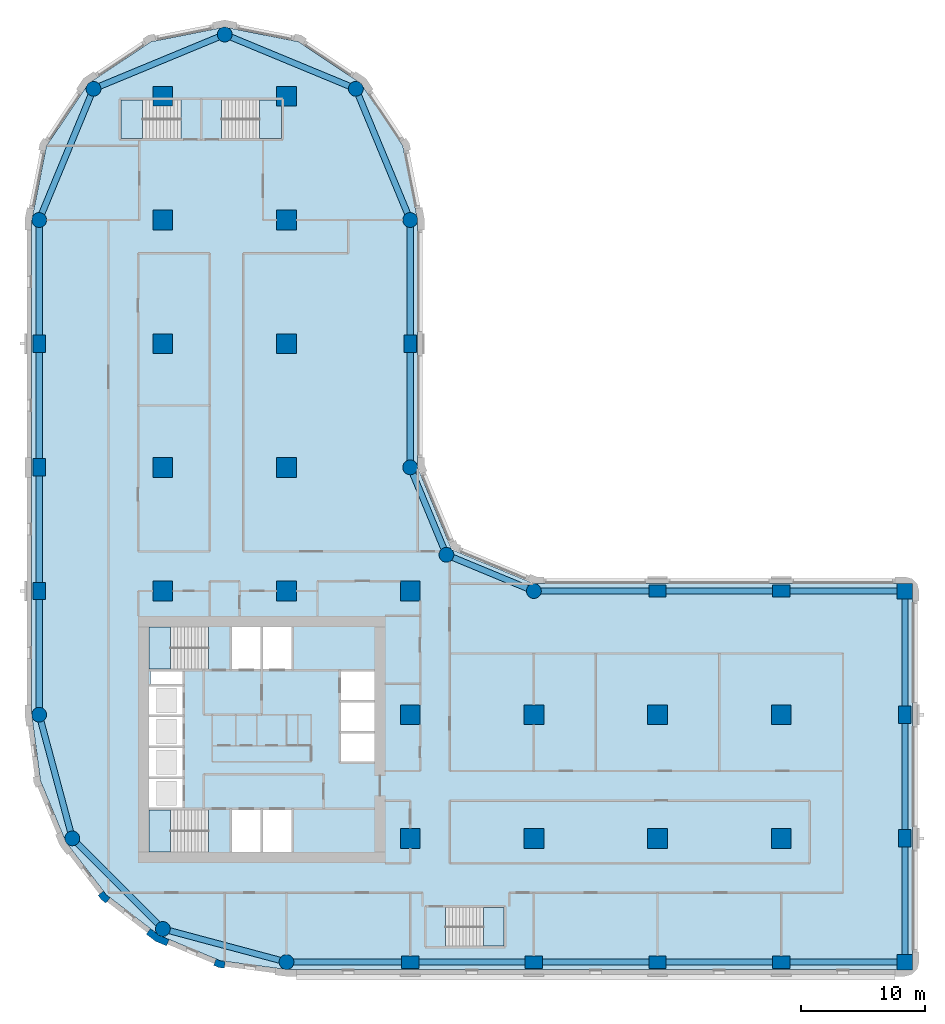
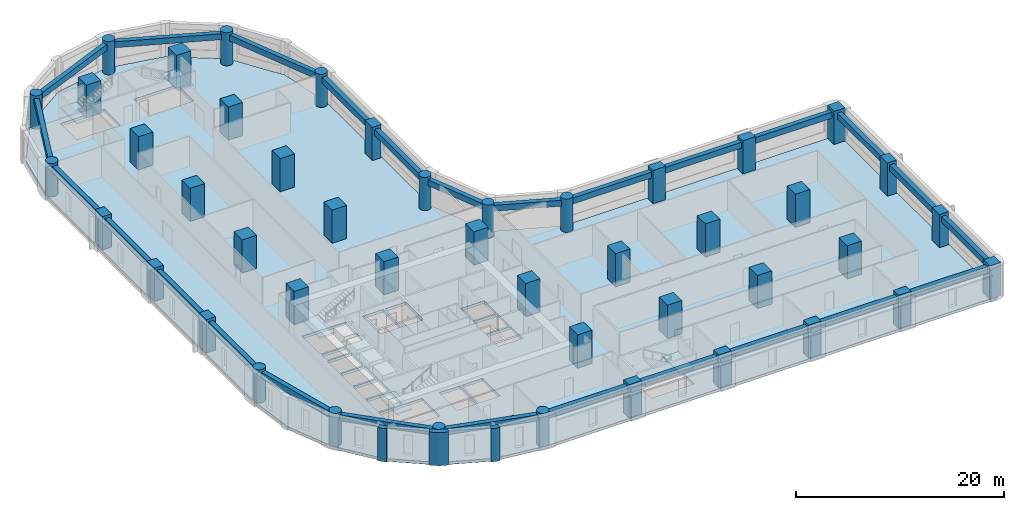
# One storey, part 1 of 11: 45 columns, 26 beams, 6 slabs, 3 walls, 5 elements without a shape of their own.
"""IFC4 building model written with IfcOpenShell, lengths in metres."""

from ifc_helpers import new_model, si_unit, direction, frame, origin, origin_2d, place, context, subcontext, project, spatial, polyline, rectangle, circle, outline, extrude, material, layer, layer_set, material_profile, profile_set, type_object, element, aggregate, save


model = new_model("IFC4")

# Units and contexts
model_context = context("Model", 3, precision=1e-05, world=origin(), true_north=direction((0.0, 1.0)))
body_context = subcontext(model_context, "Body", "Model", "MODEL_VIEW")
ifc_project = project(units=[si_unit("LENGTHUNIT", "METRE"), si_unit("AREAUNIT", "SQUARE_METRE"), si_unit("VOLUMEUNIT", "CUBIC_METRE"), si_unit("PLANEANGLEUNIT", "RADIAN"), si_unit("MASSUNIT", "GRAM", prefix="KILO")], contexts=[model_context])

# Site, building, storey
site_placement = place(None, origin())
site = spatial("IfcSite", under=ifc_project, at=site_placement, CompositionType="ELEMENT")
building_placement = place(site_placement, origin())
building = spatial("IfcBuilding", under=site, at=building_placement, Name="Qaws Garden Tower", CompositionType="ELEMENT")
storey_placement = place(building_placement, frame((0.0, 0.0, 90.0)))
storey = spatial("IfcBuildingStorey", under=building, at=storey_placement, Name="L22", CompositionType="ELEMENT", Elevation=90.0)

# Columns
ifc_material_1 = material(Name="Concrete C80", Category="concrete")
ifc_material_profile_1 = material_profile(ifc_material_1, rectangle(XDim=1.25, YDim=1.25, at=origin_2d()), Name="RC 1250x1250")
ifc_profile_set_1 = profile_set([ifc_material_profile_1], Name="Concrete C80")
column_type_1 = type_object("IfcColumnType", Name="Column RC 1250x1250 C80", PredefinedType="COLUMN", material=ifc_profile_set_1)
for number, where, z_axis, x_axis, name in (
    (1, (70.0, 0.0, 0.0), (0.0, 0.0, 1.0), (1.0, 0.0, 0.0), "Column L22-006"),
    (2, (70.0, 30.0, 0.0), (0.0, 0.0, 1.0), (1.0, 0.0, 0.0), "Column L22-009"),
):
    element("IfcColumn", number, at=place(storey_placement, frame(where, z_axis=z_axis, x_axis=x_axis)), inside=storey, type_object=column_type_1, Name=name, PredefinedType="COLUMN", context=body_context, shape_type="SweptSolid", body=[
        extrude(rectangle(XDim=1.25, YDim=1.25, at=origin_2d()), origin(), (0.0, 0.0, 1.0), 3.89990234375),
    ])
ifc_material_2 = material(Name="Concrete C80", Category="concrete")
ifc_material_profile_2 = material_profile(ifc_material_2, rectangle(XDim=1.39990234375, YDim=1.0, at=origin_2d()), Name="RC 1400x1000")
ifc_profile_set_2 = profile_set([ifc_material_profile_2], Name="Concrete C80")
column_type_2 = type_object("IfcColumnType", Name="Column RC 1400x1000 C80", PredefinedType="COLUMN", material=ifc_profile_set_2)
for number, where, z_axis, x_axis, name in (
    (3, (30.0, 0.0, 0.0), (0.0, 0.0, 1.0), (1.0, 0.0, 0.0), "Column L22-002"),
    (4, (40.0, 0.0, 0.0), (0.0, 0.0, 1.0), (1.0, 0.0, 0.0), "Column L22-003"),
    (5, (50.0, 0.0, 0.0), (0.0, 0.0, 1.0), (1.0, 0.0, 0.0), "Column L22-004"),
    (6, (60.0, 0.0, 0.0), (0.0, 0.0, 1.0), (1.0, 0.0, 0.0), "Column L22-005"),
    (7, (70.0, 10.0, 0.0), (0.0, 0.0, 1.0), (0.0, 1.0, 0.0), "Column L22-007"),
    (8, (70.0, 20.0, 0.0), (0.0, 0.0, 1.0), (0.0, 1.0, 0.0), "Column L22-008"),
    (9, (60.0, 30.0, 0.0), (0.0, 0.0, 1.0), (1.0, 0.0, 0.0), "Column L22-010"),
    (10, (50.0, 30.0, 0.0), (0.0, 0.0, 1.0), (1.0, 0.0, 0.0), "Column L22-011"),
    (11, (30.0, 50.0, 0.0), (0.0, 0.0, 1.0), (0.0, 1.0, 0.0), "Column L22-015"),
    (12, (0.0, 50.0, 0.0), (0.0, 0.0, 1.0), (0.0, 1.0, 0.0), "Column L22-021"),
    (13, (0.0, 40.0, 0.0), (0.0, 0.0, 1.0), (0.0, 1.0, 0.0), "Column L22-022"),
    (14, (0.0, 30.0, 0.0), (0.0, 0.0, 1.0), (0.0, 1.0, 0.0), "Column L22-023"),
):
    element("IfcColumn", number, at=place(storey_placement, frame(where, z_axis=z_axis, x_axis=x_axis)), inside=storey, type_object=column_type_2, Name=name, PredefinedType="COLUMN", context=body_context, shape_type="SweptSolid", body=[
        extrude(rectangle(XDim=1.39990234375, YDim=1.0, at=origin_2d()), origin(), (0.0, 0.0, 1.0), 3.89990234375),
    ])
ifc_material_3 = material(Name="Concrete C80", Category="concrete")
ifc_material_profile_3 = material_profile(ifc_material_3, rectangle(XDim=1.60009765625, YDim=1.60009765625, at=origin_2d()), Name="RC 1600x1600")
ifc_profile_set_3 = profile_set([ifc_material_profile_3], Name="Concrete C80")
column_type_3 = type_object("IfcColumnType", Name="Column RC 1600x1600 C80", PredefinedType="COLUMN", material=ifc_profile_set_3)
for number, where, z_axis, x_axis, name in (
    (15, (10.0, 30.0, 0.0), (0.0, 0.0, 1.0), (1.0, 0.0, 0.0), "Column L22-027"),
    (16, (10.0, 40.0, 0.0), (0.0, 0.0, 1.0), (1.0, 0.0, 0.0), "Column L22-028"),
    (17, (10.0, 50.0, 0.0), (0.0, 0.0, 1.0), (1.0, 0.0, 0.0), "Column L22-029"),
    (18, (10.0, 60.0, 0.0), (0.0, 0.0, 1.0), (1.0, 0.0, 0.0), "Column L22-030"),
    (19, (10.0, 70.0, 0.0), (0.0, 0.0, 1.0), (1.0, 0.0, 0.0), "Column L22-031"),
    (20, (20.0, 30.0, 0.0), (0.0, 0.0, 1.0), (1.0, 0.0, 0.0), "Column L22-032"),
    (21, (20.0, 40.0, 0.0), (0.0, 0.0, 1.0), (1.0, 0.0, 0.0), "Column L22-033"),
    (22, (20.0, 50.0, 0.0), (0.0, 0.0, 1.0), (1.0, 0.0, 0.0), "Column L22-034"),
    (23, (20.0, 60.0, 0.0), (0.0, 0.0, 1.0), (1.0, 0.0, 0.0), "Column L22-035"),
    (24, (20.0, 70.0, 0.0), (0.0, 0.0, 1.0), (1.0, 0.0, 0.0), "Column L22-036"),
    (25, (30.0, 10.0, 0.0), (0.0, 0.0, 1.0), (1.0, 0.0, 0.0), "Column L22-037"),
    (26, (30.0, 20.0, 0.0), (0.0, 0.0, 1.0), (1.0, 0.0, 0.0), "Column L22-038"),
    (27, (30.0, 30.0, 0.0), (0.0, 0.0, 1.0), (1.0, 0.0, 0.0), "Column L22-039"),
    (28, (40.0, 10.0, 0.0), (0.0, 0.0, 1.0), (1.0, 0.0, 0.0), "Column L22-040"),
    (29, (40.0, 20.0, 0.0), (0.0, 0.0, 1.0), (1.0, 0.0, 0.0), "Column L22-041"),
    (30, (50.0, 10.0, 0.0), (0.0, 0.0, 1.0), (1.0, 0.0, 0.0), "Column L22-042"),
    (31, (50.0, 20.0, 0.0), (0.0, 0.0, 1.0), (1.0, 0.0, 0.0), "Column L22-043"),
    (32, (60.0, 10.0, 0.0), (0.0, 0.0, 1.0), (1.0, 0.0, 0.0), "Column L22-044"),
    (33, (60.0, 20.0, 0.0), (0.0, 0.0, 1.0), (1.0, 0.0, 0.0), "Column L22-045"),
):
    element("IfcColumn", number, at=place(storey_placement, frame(where, z_axis=z_axis, x_axis=x_axis)), inside=storey, type_object=column_type_3, Name=name, PredefinedType="COLUMN", context=body_context, shape_type="SweptSolid", body=[
        extrude(rectangle(XDim=1.60009765625, YDim=1.60009765625, at=origin_2d()), origin(), (0.0, 0.0, 1.0), 3.89990234375),
    ])
ifc_material_4 = material(Name="Concrete C80", Category="concrete")
ifc_material_profile_4 = material_profile(ifc_material_4, circle(Radius=0.60009765625, at=origin_2d()), Name="RC D1200")
ifc_profile_set_4 = profile_set([ifc_material_profile_4], Name="Concrete C80")
column_type_4 = type_object("IfcColumnType", Name="Column RC D1200 C80", PredefinedType="COLUMN", material=ifc_profile_set_4)
for number, where, z_axis, x_axis, name in (
    (34, (20.0, 0.0, 0.0), (0.0, 0.0, 1.0), (1.0, 0.0, 0.0), "Column L22-001"),
    (35, (40.0, 30.0, 0.0), (0.0, 0.0, 1.0), (1.0, 0.0, 0.0), "Column L22-012"),
    (36, (32.928955078125, 32.928955078125, 0.0), (0.0, 0.0, 1.0), (1.0, 0.0, 0.0), "Column L22-013"),
    (37, (30.0, 40.0, 0.0), (0.0, 0.0, 1.0), (1.0, 0.0, 0.0), "Column L22-014"),
    (38, (30.0, 60.0, 0.0), (0.0, 0.0, 1.0), (1.0, 0.0, 0.0), "Column L22-016"),
    (39, (25.606689453125, 70.606689453125, 0.0), (0.0, 0.0, 1.0), (1.0, 0.0, 0.0), "Column L22-017"),
    (40, (15.0, 75.0, 0.0), (0.0, 0.0, 1.0), (1.0, 0.0, 0.0), "Column L22-018"),
    (41, (4.393310546875, 70.606689453125, 0.0), (0.0, 0.0, 1.0), (1.0, 0.0, 0.0), "Column L22-019"),
    (42, (0.0, 60.0, 0.0), (0.0, 0.0, 1.0), (1.0, 0.0, 0.0), "Column L22-020"),
    (43, (0.0, 20.0, 0.0), (0.0, 0.0, 1.0), (1.0, 0.0, 0.0), "Column L22-024"),
    (44, (2.679443359375, 10.0, 0.0), (0.0, 0.0, 1.0), (1.0, 0.0, 0.0), "Column L22-025"),
    (45, (10.0, 2.679443359375, 0.0), (0.0, 0.0, 1.0), (1.0, 0.0, 0.0), "Column L22-026"),
):
    element("IfcColumn", number, at=place(storey_placement, frame(where, z_axis=z_axis, x_axis=x_axis)), inside=storey, type_object=column_type_4, Name=name, PredefinedType="COLUMN", context=body_context, shape_type="SweptSolid", body=[
        extrude(circle(Radius=0.60009765625, at=origin_2d()), origin(), (0.0, 0.0, 1.0), 3.89990234375),
    ])

# Beams
ifc_material_5 = material(Name="Concrete C45", Category="concrete")
ifc_material_profile_5 = material_profile(ifc_material_5, rectangle(XDim=0.5, YDim=0.699951171875, at=origin_2d()), Name="RC 500x700")
ifc_profile_set_5 = profile_set([ifc_material_profile_5], Name="Concrete C45")
beam_type = type_object("IfcBeamType", Name="Spandrel beam RC 500x700 C45", PredefinedType="SPANDREL", material=ifc_profile_set_5)
for number, where, z_axis, x_axis, name in (
    (46, (20.0, 0.0, 3.22998046875), (1.0, 0.0, 0.0), (0.0, 1.0, 0.0), "Spandrel beam L22-001"),
    (47, (30.0, 0.0, 3.22998046875), (1.0, 0.0, 0.0), (0.0, 1.0, 0.0), "Spandrel beam L22-002"),
    (48, (40.0, 0.0, 3.22998046875), (1.0, 0.0, 0.0), (0.0, 1.0, 0.0), "Spandrel beam L22-003"),
    (49, (50.0, 0.0, 3.22998046875), (1.0, 0.0, 0.0), (0.0, 1.0, 0.0), "Spandrel beam L22-004"),
    (50, (60.0, 0.0, 3.22998046875), (1.0, 0.0, 0.0), (0.0, 1.0, 0.0), "Spandrel beam L22-005"),
    (51, (70.0, 0.0, 3.22998046875), (0.0, 1.0, 0.0), (-1.0, 0.0, 0.0), "Spandrel beam L22-006"),
    (52, (70.0, 10.0, 3.22998046875), (0.0, 1.0, 0.0), (-1.0, 0.0, 0.0), "Spandrel beam L22-007"),
    (53, (70.0, 20.0, 3.22998046875), (0.0, 1.0, 0.0), (-1.0, 0.0, 0.0), "Spandrel beam L22-008"),
    (54, (70.0, 30.0, 3.22998046875), (-1.0, 0.0, 0.0), (0.0, -1.0, 0.0), "Spandrel beam L22-009"),
    (55, (60.0, 30.0, 3.22998046875), (-1.0, 0.0, 0.0), (0.0, -1.0, 0.0), "Spandrel beam L22-010"),
    (56, (50.0, 30.0, 3.22998046875), (-1.0, 0.0, 0.0), (0.0, -1.0, 0.0), "Spandrel beam L22-011"),
):
    element("IfcBeam", number, at=place(storey_placement, frame(where, z_axis=z_axis, x_axis=x_axis)), inside=storey, type_object=beam_type, Name=name, PredefinedType="SPANDREL", context=body_context, shape_type="SweptSolid", body=[
        extrude(rectangle(XDim=0.5, YDim=0.699951171875, at=origin_2d()), origin(), (0.0, 0.0, 1.0), 10.0),
    ])
for number, where, z_axis, x_axis, name in (
    (57, (40.0, 30.0, 3.22998046875), (-0.923878037141, 0.382687042488, 0.0), (-0.382687042488, -0.923878037141, 0.0), "Spandrel beam L22-012"),
    (58, (32.928955078125, 32.928955078125, 3.22998046875), (-0.382687042488, 0.923878037141, 0.0), (-0.923878037141, -0.382687042488, 0.0), "Spandrel beam L22-013"),
):
    element("IfcBeam", number, at=place(storey_placement, frame(where, z_axis=z_axis, x_axis=x_axis)), inside=storey, type_object=beam_type, Name=name, PredefinedType="SPANDREL", context=body_context, shape_type="SweptSolid", body=[
        extrude(rectangle(XDim=0.5, YDim=0.699951171875, at=origin_2d()), origin(), (0.0, 0.0, 1.0), 7.653564453125),
    ])
for number, where, z_axis, x_axis, name in (
    (59, (30.0, 40.0, 3.22998046875), (0.0, 1.0, 0.0), (-1.0, 0.0, 0.0), "Spandrel beam L22-014"),
    (60, (30.0, 50.0, 3.22998046875), (0.0, 1.0, 0.0), (-1.0, 0.0, 0.0), "Spandrel beam L22-015"),
):
    element("IfcBeam", number, at=place(storey_placement, frame(where, z_axis=z_axis, x_axis=x_axis)), inside=storey, type_object=beam_type, Name=name, PredefinedType="SPANDREL", context=body_context, shape_type="SweptSolid", body=[
        extrude(rectangle(XDim=0.5, YDim=0.699951171875, at=origin_2d()), origin(), (0.0, 0.0, 1.0), 10.0),
    ])
for number, where, z_axis, x_axis, name in (
    (61, (30.0, 60.0, 3.22998046875), (-0.382674207535, 0.923883353507, 0.0), (-0.923883353507, -0.382674207535, 0.0), "Spandrel beam L22-016"),
    (62, (25.606689453125, 70.606689453125, 3.22998046875), (-0.923883353507, 0.382674207535, 0.0), (-0.382674207535, -0.923883353507, 0.0), "Spandrel beam L22-017"),
    (63, (15.0, 75.0, 3.22998046875), (-0.923883353507, -0.382674207535, 0.0), (0.382674207535, -0.923883353507, 0.0), "Spandrel beam L22-018"),
    (64, (4.393310546875, 70.606689453125, 3.22998046875), (-0.382674207535, -0.923883353507, 0.0), (0.923883353507, -0.382674207535, 0.0), "Spandrel beam L22-019"),
):
    element("IfcBeam", number, at=place(storey_placement, frame(where, z_axis=z_axis, x_axis=x_axis)), inside=storey, type_object=beam_type, Name=name, PredefinedType="SPANDREL", context=body_context, shape_type="SweptSolid", body=[
        extrude(rectangle(XDim=0.5, YDim=0.699951171875, at=origin_2d()), origin(), (0.0, 0.0, 1.0), 11.48046875),
    ])
for number, where, z_axis, x_axis, name in (
    (65, (0.0, 60.0, 3.22998046875), (0.0, -1.0, 0.0), (1.0, 0.0, 0.0), "Spandrel beam L22-020"),
    (66, (0.0, 50.0, 3.22998046875), (0.0, -1.0, 0.0), (1.0, 0.0, 0.0), "Spandrel beam L22-021"),
    (67, (0.0, 40.0, 3.22998046875), (0.0, -1.0, 0.0), (1.0, 0.0, 0.0), "Spandrel beam L22-022"),
    (68, (0.0, 30.0, 3.22998046875), (0.0, -1.0, 0.0), (1.0, 0.0, 0.0), "Spandrel beam L22-023"),
):
    element("IfcBeam", number, at=place(storey_placement, frame(where, z_axis=z_axis, x_axis=x_axis)), inside=storey, type_object=beam_type, Name=name, PredefinedType="SPANDREL", context=body_context, shape_type="SweptSolid", body=[
        extrude(rectangle(XDim=0.5, YDim=0.699951171875, at=origin_2d()), origin(), (0.0, 0.0, 1.0), 10.0),
    ])
for number, where, z_axis, x_axis, name in (
    (69, (0.0, 20.0, 3.22998046875), (0.25881466832, -0.965926999034, 0.0), (0.965926999034, 0.25881466832, 0.0), "Spandrel beam L22-024"),
    (70, (2.679443359375, 10.0, 3.22998046875), (0.707106781187, -0.707106781187, 0.0), (0.707106781187, 0.707106781187, 0.0), "Spandrel beam L22-025"),
    (71, (10.0, 2.679443359375, 3.22998046875), (0.965926999034, -0.25881466832, 0.0), (0.25881466832, 0.965926999034, 0.0), "Spandrel beam L22-026"),
):
    element("IfcBeam", number, at=place(storey_placement, frame(where, z_axis=z_axis, x_axis=x_axis)), inside=storey, type_object=beam_type, Name=name, PredefinedType="SPANDREL", context=body_context, shape_type="SweptSolid", body=[
        extrude(rectangle(XDim=0.5, YDim=0.699951171875, at=origin_2d()), origin(), (0.0, 0.0, 1.0), 10.352783203125),
    ])

# Slab
ifc_material_6 = material(Name="Concrete C40", Category="concrete")
ifc_layer_1 = layer(ifc_material_6, 0.320068359375)
ifc_layer_set_1 = layer_set([ifc_layer_1], Name="Concrete C40")
slab_type_1 = type_object("IfcSlabType", Name="Floor slab 320 C40", PredefinedType="FLOOR", material=ifc_layer_set_1)
slab_1_placement = place(storey_placement, frame((0.0, 0.0, -0.320068359375)))
element("IfcSlab", 72, at=slab_1_placement, inside=storey, type_object=slab_type_1, Name="Floor slab L22", PredefinedType="FLOOR", context=body_context, shape_type="SweptSolid", body=[
    extrude(outline(polyline([(0.101806640625, 14.668212890625), (-0.60009765625, 20.0), (-0.60009765625, 30.60009765625), (-0.60009765625, 60.0), (-0.60009765625, 60.0), (0.58740234375, 65.969970703125), (3.968994140625, 71.031005859375), (9.030029296875, 74.41259765625), (15.0, 75.60009765625), (20.969970703125, 74.41259765625), (26.031005859375, 71.031005859375), (29.41259765625, 65.969970703125), (30.60009765625, 60.0), (30.60009765625, 40.0), (33.353271484375, 33.353271484375), (40.0, 30.60009765625), (70.0, 30.60009765625), (70.42431640625, 30.42431640625), (70.60009765625, 30.0), (70.60009765625, 0.0), (70.42431640625, -0.42431640625), (70.0, -0.60009765625), (30.60009765625, -0.60009765625), (20.0, -0.60009765625), (14.668212890625, 0.101806640625), (9.699951171875, 2.159912109375), (5.43359375, 5.43359375), (2.159912109375, 9.699951171875), (0.101806640625, 14.668212890625)]), holes=[polyline([(13.699462890625, 12.300048828125), (8.89990234375, 12.300048828125), (8.89990234375, 8.89990234375), (13.699462890625, 8.89990234375), (13.699462890625, 12.300048828125)]), polyline([(17.89990234375, 12.300048828125), (15.60009765625, 12.300048828125), (15.60009765625, 8.89990234375), (17.89990234375, 8.89990234375), (17.89990234375, 12.300048828125)]), polyline([(11.60009765625, 14.800048828125), (8.89990234375, 14.800048828125), (8.89990234375, 12.5), (11.60009765625, 12.5), (11.60009765625, 14.800048828125)]), polyline([(11.60009765625, 17.300048828125), (8.89990234375, 17.300048828125), (8.89990234375, 15.0), (11.60009765625, 15.0), (11.60009765625, 17.300048828125)]), polyline([(11.60009765625, 19.800048828125), (8.89990234375, 19.800048828125), (8.89990234375, 17.5), (11.60009765625, 17.5), (11.60009765625, 19.800048828125)]), polyline([(11.60009765625, 22.300048828125), (8.89990234375, 22.300048828125), (8.89990234375, 20.0), (11.60009765625, 20.0), (11.60009765625, 22.300048828125)]), polyline([(11.60009765625, 23.5), (9.0, 23.5), (9.0, 22.5), (11.60009765625, 22.5), (11.60009765625, 23.5)]), polyline([(13.699462890625, 27.10009765625), (8.89990234375, 27.10009765625), (8.89990234375, 23.699951171875), (13.699462890625, 23.699951171875), (13.699462890625, 27.10009765625)]), polyline([(11.449462890625, 69.699951171875), (6.60009765625, 69.699951171875), (6.60009765625, 66.60009765625), (11.449462890625, 66.60009765625), (11.449462890625, 69.699951171875)]), polyline([(37.60009765625, 4.39990234375), (32.8505859375, 4.39990234375), (32.8505859375, 1.300048828125), (37.60009765625, 1.300048828125), (37.60009765625, 4.39990234375)]), polyline([(20.39990234375, 12.300048828125), (18.10009765625, 12.300048828125), (18.10009765625, 8.89990234375), (20.39990234375, 8.89990234375), (20.39990234375, 12.300048828125)]), polyline([(27.10009765625, 18.5), (24.39990234375, 18.5), (24.39990234375, 16.199951171875), (27.10009765625, 16.199951171875), (27.10009765625, 18.5)]), polyline([(27.10009765625, 21.0), (24.39990234375, 21.0), (24.39990234375, 18.699951171875), (27.10009765625, 18.699951171875), (27.10009765625, 21.0)]), polyline([(27.10009765625, 23.5), (24.39990234375, 23.5), (24.39990234375, 21.199951171875), (27.10009765625, 21.199951171875), (27.10009765625, 23.5)]), polyline([(17.89990234375, 27.10009765625), (15.60009765625, 27.10009765625), (15.60009765625, 23.699951171875), (17.89990234375, 23.699951171875), (17.89990234375, 27.10009765625)]), polyline([(20.39990234375, 23.699951171875), (20.39990234375, 27.10009765625), (18.10009765625, 27.10009765625), (18.10009765625, 23.699951171875), (20.39990234375, 23.699951171875)]), polyline([(19.60009765625, 66.60009765625), (19.60009765625, 69.699951171875), (14.75048828125, 69.699951171875), (14.75048828125, 66.60009765625), (19.60009765625, 66.60009765625)])]), origin(), (0.0, 0.0, 1.0), 0.320068359375),
])

# Stair, slab
ifc_material_7 = material(Name="Concrete C40", Category="concrete")
stair_type_1 = type_object("IfcStairType", Name="Exit stair 1500", PredefinedType="HALF_TURN_STAIR", material=ifc_material_7)
placement_1 = place(storey_placement, origin())
stair_1 = element("IfcStair", 73, at=placement_1, inside=storey, type_object=stair_type_1, Name="Stair 1", PredefinedType="HALF_TURN_STAIR")
ifc_material_8 = material(Name="Concrete C40", Category="concrete")
ifc_layer_2 = layer(ifc_material_8, 0.199951171875)
ifc_layer_set_2 = layer_set([ifc_layer_2], Name="Concrete C40")
slab_type_2 = type_object("IfcSlabType", Name="Stair landing 200", PredefinedType="LANDING", material=ifc_layer_set_2)
placement_2 = place(storey_placement, frame((0.0, 0.0, 1.75)))
slab_2 = element("IfcSlab", 74, at=placement_2, type_object=slab_type_2, Name="ST1 landing 1", PredefinedType="LANDING", context=body_context, shape_type="SweptSolid", body=[
    extrude(outline(polyline([(8.89990234375, 8.89990234375), (10.6201171875, 8.89990234375), (10.6201171875, 12.300048828125), (8.89990234375, 12.300048828125), (8.89990234375, 8.89990234375)])), origin(), (0.0, 0.0, 1.0), 0.199951171875),
])
aggregate(stair_1, [slab_2])

stair_2 = element("IfcStair", 75, at=placement_1, inside=storey, type_object=stair_type_1, Name="Stair 4", PredefinedType="HALF_TURN_STAIR")
slab_3 = element("IfcSlab", 76, at=placement_2, type_object=slab_type_2, Name="ST4 landing 1", PredefinedType="LANDING", context=body_context, shape_type="SweptSolid", body=[
    extrude(outline(polyline([(8.89990234375, 23.699951171875), (10.6201171875, 23.699951171875), (10.6201171875, 27.10009765625), (8.89990234375, 27.10009765625), (8.89990234375, 23.699951171875)])), origin(), (0.0, 0.0, 1.0), 0.199951171875),
])
aggregate(stair_2, [slab_3])

ifc_material_9 = material(Name="Concrete C40", Category="concrete")
stair_type_2 = type_object("IfcStairType", Name="Exit stair 1350", PredefinedType="HALF_TURN_STAIR", material=ifc_material_9)
stair_3 = element("IfcStair", 77, at=placement_1, inside=storey, type_object=stair_type_2, Name="Stair 5", PredefinedType="HALF_TURN_STAIR")
slab_4 = element("IfcSlab", 78, at=placement_2, type_object=slab_type_2, Name="ST5 landing 1", PredefinedType="LANDING", context=body_context, shape_type="SweptSolid", body=[
    extrude(outline(polyline([(35.929931640625, 1.300048828125), (37.60009765625, 1.300048828125), (37.60009765625, 4.39990234375), (35.929931640625, 4.39990234375), (35.929931640625, 1.300048828125)])), origin(), (0.0, 0.0, 1.0), 0.199951171875),
])
aggregate(stair_3, [slab_4])

stair_4 = element("IfcStair", 79, at=placement_1, inside=storey, type_object=stair_type_2, Name="Stair 6", PredefinedType="HALF_TURN_STAIR")
slab_5 = element("IfcSlab", 80, at=placement_2, type_object=slab_type_2, Name="ST6 landing 1", PredefinedType="LANDING", context=body_context, shape_type="SweptSolid", body=[
    extrude(outline(polyline([(6.60009765625, 66.60009765625), (8.3701171875, 66.60009765625), (8.3701171875, 69.699951171875), (6.60009765625, 69.699951171875), (6.60009765625, 66.60009765625)])), origin(), (0.0, 0.0, 1.0), 0.199951171875),
])
aggregate(stair_4, [slab_5])

stair_5 = element("IfcStair", 81, at=placement_1, inside=storey, type_object=stair_type_2, Name="Stair 7", PredefinedType="HALF_TURN_STAIR")
slab_6 = element("IfcSlab", 82, at=placement_2, type_object=slab_type_2, Name="ST7 landing 1", PredefinedType="LANDING", context=body_context, shape_type="SweptSolid", body=[
    extrude(outline(polyline([(17.830078125, 66.60009765625), (19.60009765625, 66.60009765625), (19.60009765625, 69.699951171875), (17.830078125, 69.699951171875), (17.830078125, 66.60009765625)])), origin(), (0.0, 0.0, 1.0), 0.199951171875),
])
aggregate(stair_5, [slab_6])

# Walls
ifc_material_10 = material(Name="Clay facing brick masonry", Category="masonry")
ifc_layer_3 = layer(ifc_material_10, 0.550048828125)
ifc_layer_set_3 = layer_set([ifc_layer_3], Name="Clay facing brick masonry")
wall_type_1 = type_object("IfcWallType", Name="Brick kink pier 550 x 600", PredefinedType="SOLIDWALL", material=ifc_layer_set_3)
element("IfcWall", 83, at=placement_1, inside=storey, type_object=wall_type_1, Name="E-L22-pier-30", PredefinedType="SOLIDWALL", context=body_context, shape_type="SweptSolid", body=[
    extrude(outline(polyline([(4.8818359375, 5.487060546875), (4.762939453125, 5.395751953125), (5.03759765625, 5.03759765625), (5.395751953125, 4.762939453125), (5.487060546875, 4.8818359375), (5.730712890625, 5.19921875), (5.429931640625, 5.429931640625), (5.19921875, 5.730712890625), (4.8818359375, 5.487060546875)])), origin(), (0.0, 0.0, 1.0), 3.89990234375),
])
element("IfcWall", 84, at=placement_1, inside=storey, type_object=wall_type_1, Name="E-L22-pier-32", PredefinedType="SOLIDWALL", context=body_context, shape_type="SweptSolid", body=[
    extrude(outline(polyline([(14.163818359375, -0.127685546875), (14.1064453125, -0.26611328125), (14.5234375, -0.43896484375), (14.970947265625, -0.497802734375), (14.990478515625, -0.34912109375), (15.042724609375, 0.04736328125), (14.6669921875, 0.096923828125), (14.31689453125, 0.241943359375), (14.163818359375, -0.127685546875)])), origin(), (0.0, 0.0, 1.0), 3.89990234375),
])
ifc_material_11 = material(Name="Clay facing brick masonry", Category="masonry")
ifc_layer_4 = layer(ifc_material_11, 0.550048828125)
ifc_layer_set_4 = layer_set([ifc_layer_4], Name="Clay facing brick masonry")
wall_type_2 = type_object("IfcWallType", Name="Brick pier 550 x 1600", PredefinedType="SOLIDWALL", material=ifc_layer_set_4)
element("IfcWall", 85, at=placement_1, inside=storey, type_object=wall_type_2, Name="E-L22-pier-31", PredefinedType="SOLIDWALL", context=body_context, shape_type="SweptSolid", body=[
    extrude(outline(polyline([(8.756591796875, 2.373046875), (8.665283203125, 2.254150390625), (9.419921875, 1.675048828125), (10.299072265625, 1.310791015625), (10.3564453125, 1.449462890625), (10.509521484375, 1.819091796875), (9.697509765625, 2.1552734375), (9.0, 2.6904296875), (8.756591796875, 2.373046875)])), origin(), (0.0, 0.0, 1.0), 3.89990234375),
])

save(model, "model.ifc")
